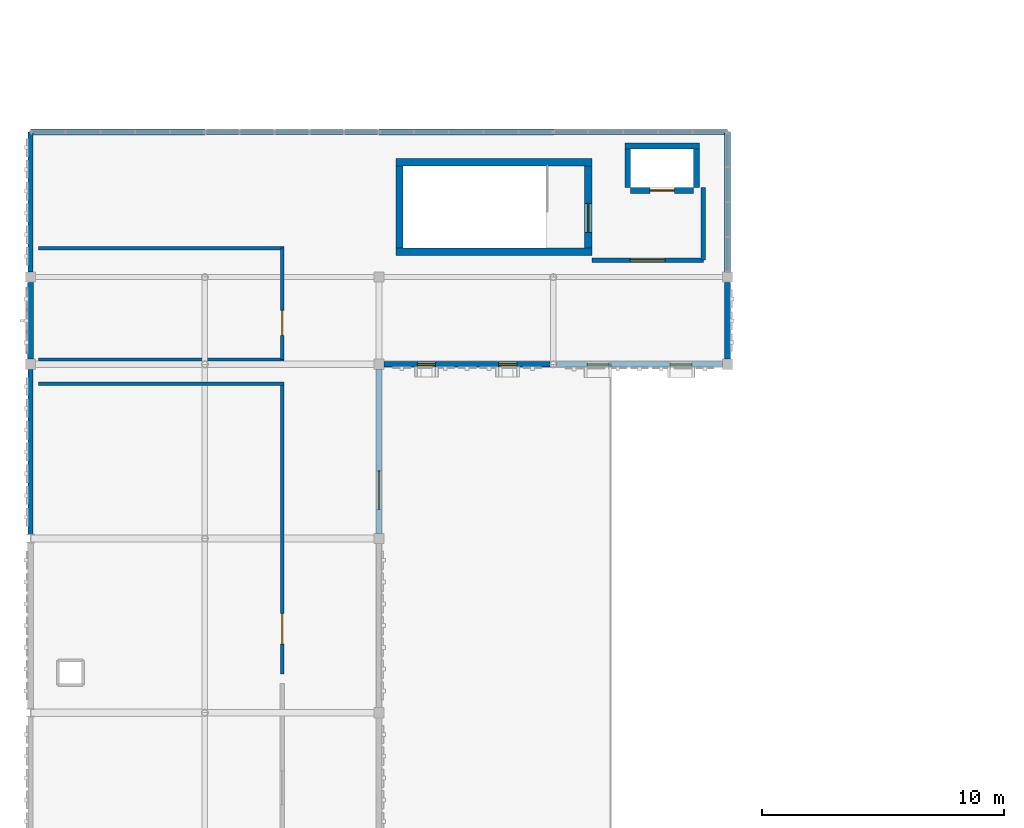
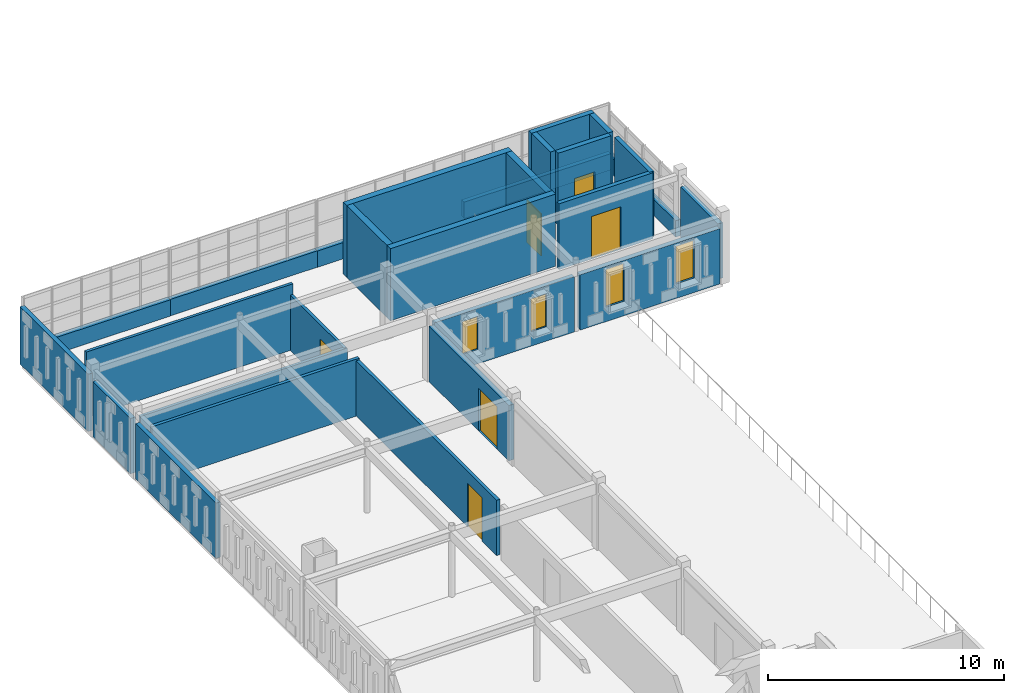
# One storey, part 27 of 46: 27 walls, 6 doors, 4 windows, 10 openings.
"""IFC4 building model written with IfcOpenShell, lengths in metres."""

from ifc_helpers import new_model, si_unit, direction, frame, frame_2d, origin, place, context, subcontext, project, spatial, rectangle, extrude, material, layer, layer_set, type_object, element, fill, save


model = new_model("IFC4")

# Units and contexts
model_context = context("Model", 3, precision=1e-05, world=origin(), true_north=direction((0.0, 1.0)))
body_context = subcontext(model_context, "Body", "Model", "MODEL_VIEW")
ifc_project = project(units=[si_unit("LENGTHUNIT", "METRE"), si_unit("AREAUNIT", "SQUARE_METRE"), si_unit("VOLUMEUNIT", "CUBIC_METRE"), si_unit("PLANEANGLEUNIT", "RADIAN"), si_unit("MASSUNIT", "GRAM", prefix="KILO")], contexts=[model_context])

# Site, building, storey
site_placement = place(None, origin())
site = spatial("IfcSite", under=ifc_project, at=site_placement, CompositionType="ELEMENT")
building_placement = place(site_placement, origin())
building = spatial("IfcBuilding", under=site, at=building_placement, Name="Nzembalo Square Collegiate School", CompositionType="ELEMENT")
storey_placement = place(building_placement, frame((0.0, 0.0, 17.340087890625)))
storey = spatial("IfcBuildingStorey", under=building, at=storey_placement, Name="L04", CompositionType="ELEMENT", Elevation=17.340087890625)

# Walls
ifc_material_1 = material(Name="Concrete C40/50", Category="concrete")
ifc_layer_1 = layer(ifc_material_1, 0.300048828125, Name="Concrete C40/50")
ifc_layer_set_1 = layer_set([ifc_layer_1], Name="Concrete C40/50")
wall_type_1 = type_object("IfcWallType", Name="SW02", PredefinedType="SHEAR", material=ifc_layer_set_1)
wall_1_placement = place(storey_placement, frame((23.64990234375, 84.0, 0.0), z_axis=(0.0, 0.0, 1.0), x_axis=(0.0, 1.0, 0.0)))
element("IfcWall", 1, at=wall_1_placement, inside=storey, type_object=wall_type_1, Name="Core C2 stair shear wall W L04", PredefinedType="SHEAR", context=body_context, shape_type="SweptSolid", body=[
    extrude(rectangle(XDim=3.39990234375, YDim=0.300048828125, at=frame_2d((1.699951171875, 0.0))), origin(), (0.0, 0.0, 1.0), 3.739990234375),
])
for number, where, z_axis, x_axis, name in (
    (2, (23.5, 83.85009765625, 0.0), (0.0, 0.0, 1.0), (1.0, 0.0, 0.0), "Core C2 stair shear wall S L04"),
    (3, (23.5, 87.550048828125, 0.0), (0.0, 0.0, 1.0), (1.0, 0.0, 0.0), "Core C2 stair shear wall N L04"),
):
    element("IfcWall", number, at=place(storey_placement, frame(where, z_axis=z_axis, x_axis=x_axis)), inside=storey, type_object=wall_type_1, Name=name, PredefinedType="SHEAR", context=body_context, shape_type="SweptSolid", body=[
        extrude(rectangle(XDim=8.10009765625, YDim=0.300048828125, at=frame_2d((4.050048828125, 0.0))), origin(), (0.0, 0.0, 1.0), 3.739990234375),
    ])

# Wall, opening, door
wall_2_placement = place(storey_placement, frame((31.449951171875, 84.0, 0.0), z_axis=(0.0, 0.0, 1.0), x_axis=(0.0, 1.0, 0.0)))
wall_2 = element("IfcWall", 4, at=wall_2_placement, inside=storey, type_object=wall_type_1, Name="Core C2 stair shear wall E L04", PredefinedType="SHEAR", context=body_context, shape_type="SweptSolid", body=[
    extrude(rectangle(XDim=3.39990234375, YDim=0.300048828125, at=frame_2d((1.699951171875, 0.0))), origin(), (0.0, 0.0, 1.0), 3.739990234375),
])
opening_1_placement = place(wall_2_placement, frame((0.64990234375, 0.0, 0.0)))
opening_1 = element("IfcOpeningElement", 5, at=opening_1_placement, cuts=wall_2, Name="Opening FD-021", PredefinedType="OPENING", context=body_context, shape_type="SweptSolid", body=[
    extrude(rectangle(XDim=1.199951171875, YDim=2.199951171875, at=frame_2d((0.60009765625, 1.10009765625))), frame((0.0, 0.16015625, 0.0), z_axis=(0.0, -1.0, 0.0), x_axis=(1.0, 0.0, 0.0)), (0.0, 0.0, 1.0), 0.320068359375),
])
ifc_material_2 = material(Name="Fire-rated steel acoustic door", Category="steel")
door_type_1 = type_object("IfcDoorType", Name="FD01", OperationType="NOTDEFINED", PredefinedType="DOOR", material=ifc_material_2)
door_1_placement = place(opening_1_placement, origin())
door_1 = element("IfcDoor", 6, at=door_1_placement, inside=storey, type_object=door_type_1, Name="Stair fire door FD-021", OperationType="SINGLE_SWING_LEFT", OverallHeight=2.199951171875, OverallWidth=1.199951171875, PredefinedType="DOOR", context=body_context, shape_type="SweptSolid", body=[
    extrude(rectangle(XDim=1.199951171875, YDim=2.199951171875, at=frame_2d((0.60009765625, 1.10009765625))), frame((0.0, 0.02490234375, 0.0), z_axis=(0.0, -1.0, 0.0), x_axis=(1.0, 0.0, 0.0)), (0.0, 0.0, 1.0), 0.050048828125),
])
fill(opening_1, door_1)

# Walls
ifc_material_3 = material(Name="Concrete C35/45", Category="concrete")
ifc_layer_2 = layer(ifc_material_3, 0.239990234375, Name="Concrete C35/45")
ifc_layer_set_2 = layer_set([ifc_layer_2], Name="Concrete C35/45")
wall_type_2 = type_object("IfcWallType", Name="SW06", PredefinedType="SHEAR", material=ifc_layer_set_2)
for number, where, z_axis, x_axis, name in (
    (7, (33.080078125, 86.5, 0.0), (0.0, 0.0, 1.0), (0.0, 1.0, 0.0), "Lift LF2 shaft wall W L04"),
    (8, (35.919921875, 86.5, 0.0), (0.0, 0.0, 1.0), (0.0, 1.0, 0.0), "Lift LF2 shaft wall E L04"),
):
    element("IfcWall", number, at=place(storey_placement, frame(where, z_axis=z_axis, x_axis=x_axis)), inside=storey, type_object=wall_type_2, Name=name, PredefinedType="SHEAR", context=body_context, shape_type="SweptSolid", body=[
        extrude(rectangle(XDim=1.60009765625, YDim=0.239990234375, at=frame_2d((0.800048828125, 0.0))), origin(), (0.0, 0.0, 1.0), 3.739990234375),
    ])
wall_3_placement = place(storey_placement, frame((32.9599609375, 88.219970703125, 0.0), z_axis=(0.0, 0.0, 1.0), x_axis=(1.0, 0.0, 0.0)))
element("IfcWall", 9, at=wall_3_placement, inside=storey, type_object=wall_type_2, Name="Lift LF2 shaft wall N L04", PredefinedType="SHEAR", context=body_context, shape_type="SweptSolid", body=[
    extrude(rectangle(XDim=3.080078125, YDim=0.239990234375, at=frame_2d((1.5400390625, 0.0))), origin(), (0.0, 0.0, 1.0), 3.739990234375),
])

# Wall, opening, door
wall_4_placement = place(storey_placement, frame((33.199951171875, 86.3798828125, 0.0), z_axis=(0.0, 0.0, 1.0), x_axis=(1.0, 0.0, 0.0)))
wall_4 = element("IfcWall", 10, at=wall_4_placement, inside=storey, type_object=wall_type_2, Name="Lift LF2 landing front wall L04", PredefinedType="SHEAR", context=body_context, shape_type="SweptSolid", body=[
    extrude(rectangle(XDim=2.60009765625, YDim=0.239990234375, at=frame_2d((1.300048828125, 0.0))), origin(), (0.0, 0.0, 1.0), 3.739990234375),
])
opening_2_placement = place(wall_4_placement, frame((0.800048828125, 0.0, 0.0)))
opening_2 = element("IfcOpeningElement", 11, at=opening_2_placement, cuts=wall_4, Name="Opening LD-LF2-L04", PredefinedType="OPENING", context=body_context, shape_type="SweptSolid", body=[
    extrude(rectangle(XDim=1.0, YDim=2.14990234375, at=frame_2d((0.5, 1.074951171875))), frame((0.0, 0.1298828125, 0.0), z_axis=(0.0, -1.0, 0.0), x_axis=(1.0, 0.0, 0.0)), (0.0, 0.0, 1.0), 0.260009765625),
])
ifc_material_4 = material(Name="Stainless-steel sliding landing door", Category="steel")
door_type_2 = type_object("IfcDoorType", Name="LD02", OperationType="DOUBLE_DOOR_SLIDING", PredefinedType="DOOR", material=ifc_material_4)
door_2_placement = place(opening_2_placement, origin())
door_2 = element("IfcDoor", 12, at=door_2_placement, inside=storey, type_object=door_type_2, Name="Sliding lift landing door LD-LF2-L04", OperationType="DOUBLE_DOOR_SLIDING", OverallHeight=2.14990234375, OverallWidth=1.0, PredefinedType="DOOR", context=body_context, shape_type="SweptSolid", body=[
    extrude(rectangle(XDim=1.0, YDim=2.14990234375, at=frame_2d((0.5, 1.074951171875))), frame((0.0, 0.02490234375, 0.0), z_axis=(0.0, -1.0, 0.0), x_axis=(1.0, 0.0, 0.0)), (0.0, 0.0, 1.0), 0.050048828125),
])
fill(opening_2, door_2)

# Walls
ifc_material_5 = material(Name="CLT CL24", Category="wood")
ifc_layer_3 = layer(ifc_material_5, 0.2451171875, Name="CLT CL24")
ifc_layer_set_3 = layer_set([ifc_layer_3], Name="CLT CL24")
wall_type_3 = type_object("IfcWallType", Name="W07", PredefinedType="SOLIDWALL", material=ifc_layer_set_3)
wall_5_placement = place(storey_placement, frame((8.39990234375, 79.412109375, 0.0), z_axis=(0.0, 0.0, 1.0), x_axis=(0.0, 1.0, 0.0)))
element("IfcWall", 13, at=wall_5_placement, inside=storey, type_object=wall_type_3, Name="Exterior wall W07 L04", PredefinedType="SOLIDWALL", context=body_context, shape_type="SweptSolid", body=[
    extrude(rectangle(XDim=3.17578125, YDim=0.2451171875, at=frame_2d((1.587890625, 0.0))), origin(), (0.0, 0.0, 1.0), 2.868896484375),
])
wall_6_placement = place(storey_placement, frame((8.39990234375, 88.800048828125, 0.0), z_axis=(0.0, 0.0, 1.0), x_axis=(1.0, 0.0, 0.0)))
element("IfcWall", 14, at=wall_6_placement, inside=storey, type_object=wall_type_3, Name="Spandrel wall W07 L04", PredefinedType="SOLIDWALL", context=body_context, shape_type="SweptSolid", body=[
    extrude(rectangle(XDim=7.2001953125, YDim=0.2451171875, at=frame_2d((3.60009765625, 0.0))), origin(), (0.0, 0.0, 1.0), 0.849853515625),
])
wall_7_placement = place(storey_placement, frame((22.800048828125, 88.800048828125, 0.0), z_axis=(0.0, 0.0, 1.0), x_axis=(1.0, 0.0, 0.0)))
element("IfcWall", 15, at=wall_7_placement, inside=storey, type_object=wall_type_3, Name="Spandrel wall W07 L04", PredefinedType="SOLIDWALL", context=body_context, shape_type="SweptSolid", body=[
    extrude(rectangle(XDim=7.199951171875, YDim=0.2451171875, at=frame_2d((3.60009765625, 0.0))), origin(), (0.0, 0.0, 1.0), 0.849853515625),
])
wall_8_placement = place(storey_placement, frame((37.199951171875, 79.412109375, 0.0), z_axis=(0.0, 0.0, 1.0), x_axis=(0.0, 1.0, 0.0)))
element("IfcWall", 16, at=wall_8_placement, inside=storey, type_object=wall_type_3, Name="Exterior wall W07 L04", PredefinedType="SOLIDWALL", context=body_context, shape_type="SweptSolid", body=[
    extrude(rectangle(XDim=3.17578125, YDim=0.2451171875, at=frame_2d((1.587890625, 0.0))), origin(), (0.0, 0.0, 1.0), 2.868896484375),
])
wall_9_placement = place(storey_placement, frame((37.199951171875, 83.011962890625, 0.0), z_axis=(0.0, 0.0, 1.0), x_axis=(0.0, 1.0, 0.0)))
element("IfcWall", 17, at=wall_9_placement, inside=storey, type_object=wall_type_3, Name="Spandrel wall W07 L04", PredefinedType="SOLIDWALL", context=body_context, shape_type="SweptSolid", body=[
    extrude(rectangle(XDim=5.7880859375, YDim=0.2451171875, at=frame_2d((2.89404296875, 0.0))), origin(), (0.0, 0.0, 1.0), 0.849853515625),
])

# Wall, openings, windows
wall_10_placement = place(storey_placement, frame((30.138427734375, 79.199951171875, 0.0), z_axis=(0.0, 0.0, 1.0), x_axis=(1.0, 0.0, 0.0)))
wall_10 = element("IfcWall", 18, at=wall_10_placement, inside=storey, type_object=wall_type_3, Name="Exterior wall W07 L04", PredefinedType="SOLIDWALL", context=body_context, shape_type="SweptSolid", body=[
    extrude(rectangle(XDim=6.849609375, YDim=0.2451171875, at=frame_2d((3.4248046875, 0.0))), origin(), (0.0, 0.0, 1.0), 2.868896484375),
])
opening_3_placement = place(wall_10_placement, frame((1.25732421875, 0.0, 0.75)))
opening_3 = element("IfcOpeningElement", 19, at=opening_3_placement, cuts=wall_10, Name="Opening WN-L04-1043", PredefinedType="OPENING", context=body_context, shape_type="SweptSolid", body=[
    extrude(rectangle(XDim=0.89990234375, YDim=1.949951171875, at=frame_2d((0.449951171875, 0.97509765625))), frame((0.0, 0.132568359375, 0.0), z_axis=(0.0, -1.0, 0.0), x_axis=(1.0, 0.0, 0.0)), (0.0, 0.0, 1.0), 0.26513671875),
])
opening_4_placement = place(wall_10_placement, frame((4.692138671875, 0.0, 0.75)))
opening_4 = element("IfcOpeningElement", 20, at=opening_4_placement, cuts=wall_10, Name="Opening WN-L04-1044", PredefinedType="OPENING", context=body_context, shape_type="SweptSolid", body=[
    extrude(rectangle(XDim=0.89990234375, YDim=1.949951171875, at=frame_2d((0.449951171875, 0.97509765625))), frame((0.0, 0.132568359375, 0.0), z_axis=(0.0, -1.0, 0.0), x_axis=(1.0, 0.0, 0.0)), (0.0, 0.0, 1.0), 0.26513671875),
])
ifc_material_6 = material(Name="Powder-coated aluminium and low-E double glazing", Category="aluminium")
window_type_1 = type_object("IfcWindowType", Name="WN08", PartitioningType="SINGLE_PANEL", PredefinedType="WINDOW", material=ifc_material_6)
window_1_placement = place(opening_3_placement, origin())
window_1 = element("IfcWindow", 21, at=window_1_placement, inside=storey, type_object=window_type_1, Name="Lancet window WN-L04-1043", OverallHeight=1.949951171875, OverallWidth=0.89990234375, PartitioningType="SINGLE_PANEL", PredefinedType="WINDOW", context=body_context, shape_type="SweptSolid", body=[
    extrude(rectangle(XDim=0.89990234375, YDim=1.949951171875, at=frame_2d((0.449951171875, 0.97509765625))), frame((0.0, 0.030029296875, 0.0), z_axis=(0.0, -1.0, 0.0), x_axis=(1.0, 0.0, 0.0)), (0.0, 0.0, 1.0), 0.06005859375),
])
fill(opening_3, window_1)
window_2_placement = place(opening_4_placement, origin())
window_2 = element("IfcWindow", 22, at=window_2_placement, inside=storey, type_object=window_type_1, Name="Lancet window WN-L04-1044", OverallHeight=1.949951171875, OverallWidth=0.89990234375, PartitioningType="SINGLE_PANEL", PredefinedType="WINDOW", context=body_context, shape_type="SweptSolid", body=[
    extrude(rectangle(XDim=0.89990234375, YDim=1.949951171875, at=frame_2d((0.449951171875, 0.97509765625))), frame((0.0, 0.030029296875, 0.0), z_axis=(0.0, -1.0, 0.0), x_axis=(1.0, 0.0, 0.0)), (0.0, 0.0, 1.0), 0.06005859375),
])
fill(opening_4, window_2)

# Wall, opening, door
wall_11_placement = place(storey_placement, frame((22.800048828125, 72.2119140625, 0.0), z_axis=(0.0, 0.0, 1.0), x_axis=(0.0, 1.0, 0.0)))
wall_11 = element("IfcWall", 23, at=wall_11_placement, inside=storey, type_object=wall_type_3, Name="Exterior wall W07 L04", PredefinedType="SOLIDWALL", context=body_context, shape_type="SweptSolid", body=[
    extrude(rectangle(XDim=6.776123046875, YDim=0.2451171875, at=frame_2d((3.38818359375, 0.0))), origin(), (0.0, 0.0, 1.0), 2.868896484375),
])
opening_5_placement = place(wall_11_placement, frame((0.988037109375, 0.0, 0.0)))
opening_5 = element("IfcOpeningElement", 24, at=opening_5_placement, cuts=wall_11, Name="Opening TD-402", PredefinedType="OPENING", context=body_context, shape_type="SweptSolid", body=[
    extrude(rectangle(XDim=1.60009765625, YDim=2.199951171875, at=frame_2d((0.800048828125, 1.10009765625))), frame((0.0, 0.132568359375, 0.0), z_axis=(0.0, -1.0, 0.0), x_axis=(1.0, 0.0, 0.0)), (0.0, 0.0, 1.0), 0.26513671875),
])
ifc_material_7 = material(Name="Powder-coated steel and safety glass", Category="steel")
door_type_3 = type_object("IfcDoorType", Name="TD01", OperationType="DOUBLE_DOOR_SINGLE_SWING", PredefinedType="DOOR", material=ifc_material_7)
door_3_placement = place(opening_5_placement, frame((1.60009765625, 0.0, 0.0), z_axis=(0.0, 0.0, 1.0), x_axis=(-1.0, 0.0, 0.0)))
door_3 = element("IfcDoor", 25, at=door_3_placement, inside=storey, type_object=door_type_3, Name="Exterior door TD-402", OperationType="DOUBLE_DOOR_SINGLE_SWING", OverallHeight=2.199951171875, OverallWidth=1.60009765625, PredefinedType="DOOR", context=body_context, shape_type="SweptSolid", body=[
    extrude(rectangle(XDim=1.60009765625, YDim=2.199951171875, at=frame_2d((0.800048828125, 1.10009765625))), frame((0.0, 0.02490234375, 0.0), z_axis=(0.0, -1.0, 0.0), x_axis=(1.0, 0.0, 0.0)), (0.0, 0.0, 1.0), 0.050048828125),
])
fill(opening_5, door_3)

# Walls
ifc_material_8 = material(Name="CLT CL24", Category="wood")
ifc_layer_4 = layer(ifc_material_8, 0.215087890625, Name="CLT CL24")
ifc_layer_set_4 = layer_set([ifc_layer_4], Name="CLT CL24")
wall_type_4 = type_object("IfcWallType", Name="W08", PredefinedType="SOLIDWALL", material=ifc_layer_set_4)
wall_12_placement = place(storey_placement, frame((8.39990234375, 72.172119140625, 0.0), z_axis=(0.0, 0.0, 1.0), x_axis=(0.0, 1.0, 0.0)))
element("IfcWall", 26, at=wall_12_placement, inside=storey, type_object=wall_type_4, Name="Exterior wall W08 L04", PredefinedType="SOLIDWALL", context=body_context, shape_type="SweptSolid", body=[
    extrude(rectangle(XDim=6.81591796875, YDim=0.215087890625, at=frame_2d((3.407958984375, 0.0))), origin(), (0.0, 0.0, 1.0), 2.868896484375),
])
wall_13_placement = place(storey_placement, frame((8.39990234375, 83.011962890625, 0.0), z_axis=(0.0, 0.0, 1.0), x_axis=(0.0, 1.0, 0.0)))
element("IfcWall", 27, at=wall_13_placement, inside=storey, type_object=wall_type_4, Name="Exterior wall W08 L04", PredefinedType="SOLIDWALL", context=body_context, shape_type="SweptSolid", body=[
    extrude(rectangle(XDim=5.7880859375, YDim=0.215087890625, at=frame_2d((2.89404296875, 0.0))), origin(), (0.0, 0.0, 1.0), 2.97900390625),
])
for number, where, z_axis, x_axis, name in (
    (28, (15.60009765625, 88.800048828125, 0.0), (0.0, 0.0, 1.0), (1.0, 0.0, 0.0), "Spandrel wall W08 L04"),
    (29, (30.0, 88.800048828125, 0.0), (0.0, 0.0, 1.0), (1.0, 0.0, 0.0), "Spandrel wall W08 L04"),
):
    element("IfcWall", number, at=place(storey_placement, frame(where, z_axis=z_axis, x_axis=x_axis)), inside=storey, type_object=wall_type_4, Name=name, PredefinedType="SOLIDWALL", context=body_context, shape_type="SweptSolid", body=[
        extrude(rectangle(XDim=7.199951171875, YDim=0.215087890625, at=frame_2d((3.60009765625, 0.0))), origin(), (0.0, 0.0, 1.0), 0.849853515625),
    ])

# Wall, openings, windows
wall_14_placement = place(storey_placement, frame((23.011962890625, 79.199951171875, 0.0), z_axis=(0.0, 0.0, 1.0), x_axis=(1.0, 0.0, 0.0)))
wall_14 = element("IfcWall", 30, at=wall_14_placement, inside=storey, type_object=wall_type_4, Name="Exterior wall W08 L04", PredefinedType="SOLIDWALL", context=body_context, shape_type="SweptSolid", body=[
    extrude(rectangle(XDim=6.849609375, YDim=0.215087890625, at=frame_2d((3.4248046875, 0.0))), origin(), (0.0, 0.0, 1.0), 2.868896484375),
])
opening_6_placement = place(wall_14_placement, frame((1.369873046875, 0.0, 0.75)))
opening_6 = element("IfcOpeningElement", 31, at=opening_6_placement, cuts=wall_14, Name="Opening WN-L04-1039", PredefinedType="OPENING", context=body_context, shape_type="SweptSolid", body=[
    extrude(rectangle(XDim=0.75, YDim=1.699951171875, at=frame_2d((0.375, 0.85009765625))), frame((0.0, 0.11767578125, 0.0), z_axis=(0.0, -1.0, 0.0), x_axis=(1.0, 0.0, 0.0)), (0.0, 0.0, 1.0), 0.235107421875),
])
opening_7_placement = place(wall_14_placement, frame((4.7294921875, 0.0, 0.75)))
opening_7 = element("IfcOpeningElement", 32, at=opening_7_placement, cuts=wall_14, Name="Opening WN-L04-1040", PredefinedType="OPENING", context=body_context, shape_type="SweptSolid", body=[
    extrude(rectangle(XDim=0.75, YDim=1.699951171875, at=frame_2d((0.375, 0.85009765625))), frame((0.0, 0.11767578125, 0.0), z_axis=(0.0, -1.0, 0.0), x_axis=(1.0, 0.0, 0.0)), (0.0, 0.0, 1.0), 0.235107421875),
])
ifc_material_9 = material(Name="Powder-coated aluminium and low-E double glazing", Category="aluminium")
window_type_2 = type_object("IfcWindowType", Name="WN04", PartitioningType="SINGLE_PANEL", PredefinedType="WINDOW", material=ifc_material_9)
window_3_placement = place(opening_6_placement, origin())
window_3 = element("IfcWindow", 33, at=window_3_placement, inside=storey, type_object=window_type_2, Name="Lancet window WN-L04-1039", OverallHeight=1.699951171875, OverallWidth=0.75, PartitioningType="SINGLE_PANEL", PredefinedType="WINDOW", context=body_context, shape_type="SweptSolid", body=[
    extrude(rectangle(XDim=0.75, YDim=1.699951171875, at=frame_2d((0.375, 0.85009765625))), frame((0.0, 0.030029296875, 0.0), z_axis=(0.0, -1.0, 0.0), x_axis=(1.0, 0.0, 0.0)), (0.0, 0.0, 1.0), 0.06005859375),
])
fill(opening_6, window_3)
window_4_placement = place(opening_7_placement, origin())
window_4 = element("IfcWindow", 34, at=window_4_placement, inside=storey, type_object=window_type_2, Name="Lancet window WN-L04-1040", OverallHeight=1.699951171875, OverallWidth=0.75, PartitioningType="SINGLE_PANEL", PredefinedType="WINDOW", context=body_context, shape_type="SweptSolid", body=[
    extrude(rectangle(XDim=0.75, YDim=1.699951171875, at=frame_2d((0.375, 0.85009765625))), frame((0.0, 0.030029296875, 0.0), z_axis=(0.0, -1.0, 0.0), x_axis=(1.0, 0.0, 0.0)), (0.0, 0.0, 1.0), 0.06005859375),
])
fill(opening_7, window_4)

# Wall
ifc_material_10 = material(Name="Concrete blockwork C25/30", Category="masonry")
ifc_layer_5 = layer(ifc_material_10, 0.199951171875, Name="Concrete blockwork C25/30")
ifc_layer_set_5 = layer_set([ifc_layer_5], Name="Concrete blockwork C25/30")
wall_type_5 = type_object("IfcWallType", Name="W11", PredefinedType="PARTITIONING", material=ifc_layer_set_5)
wall_15_placement = place(storey_placement, frame((36.199951171875, 83.5, 0.0), z_axis=(0.0, 0.0, 1.0), x_axis=(0.0, 1.0, 0.0)))
element("IfcWall", 35, at=wall_15_placement, inside=storey, type_object=wall_type_5, Name="Core C2 EI 60 lobby wall E L04", PredefinedType="PARTITIONING", context=body_context, shape_type="SweptSolid", body=[
    extrude(rectangle(XDim=3.0, YDim=0.199951171875, at=frame_2d((1.5, 0.0))), origin(), (0.0, 0.0, 1.0), 3.413818359375),
])

# Wall, opening, door
wall_16_placement = place(storey_placement, frame((31.60009765625, 83.5, 0.0), z_axis=(0.0, 0.0, 1.0), x_axis=(1.0, 0.0, 0.0)))
wall_16 = element("IfcWall", 36, at=wall_16_placement, inside=storey, type_object=wall_type_5, Name="Core C2 EI 60 lobby wall S L04", PredefinedType="PARTITIONING", context=body_context, shape_type="SweptSolid", body=[
    extrude(rectangle(XDim=4.599853515625, YDim=0.199951171875, at=frame_2d((2.2998046875, 0.0))), origin(), (0.0, 0.0, 1.0), 3.413818359375),
])
opening_8_placement = place(wall_16_placement, frame((1.574951171875, 0.0, 0.0)))
opening_8 = element("IfcOpeningElement", 37, at=opening_8_placement, cuts=wall_16, Name="Opening FD-022", PredefinedType="OPENING", context=body_context, shape_type="SweptSolid", body=[
    extrude(rectangle(XDim=1.449951171875, YDim=2.199951171875, at=frame_2d((0.72509765625, 1.10009765625))), frame((0.0, 0.10986328125, 0.0), z_axis=(0.0, -1.0, 0.0), x_axis=(1.0, 0.0, 0.0)), (0.0, 0.0, 1.0), 0.219970703125),
])
ifc_material_11 = material(Name="Fire-rated double lobby door")
door_type_4 = type_object("IfcDoorType", Name="FD02", OperationType="DOUBLE_DOOR_SINGLE_SWING", PredefinedType="DOOR", material=ifc_material_11)
door_4_placement = place(opening_8_placement, frame((1.449951171875, 0.0, 0.0), z_axis=(0.0, 0.0, 1.0), x_axis=(-1.0, 0.0, 0.0)))
door_4 = element("IfcDoor", 38, at=door_4_placement, inside=storey, type_object=door_type_4, Name="Protected lobby fire door FD-022", OperationType="DOUBLE_DOOR_SINGLE_SWING", OverallHeight=2.199951171875, OverallWidth=1.449951171875, PredefinedType="DOOR", context=body_context, shape_type="SweptSolid", body=[
    extrude(rectangle(XDim=1.449951171875, YDim=2.199951171875, at=frame_2d((0.72509765625, 1.10009765625))), frame((0.0, 0.02490234375, 0.0), z_axis=(0.0, -1.0, 0.0), x_axis=(1.0, 0.0, 0.0)), (0.0, 0.0, 1.0), 0.050048828125),
])
fill(opening_8, door_4)

# Wall
ifc_material_12 = material(Name="Acoustic double-board stud")
ifc_layer_6 = layer(ifc_material_12, 0.155029296875, Name="Acoustic double-board stud")
ifc_layer_set_6 = layer_set([ifc_layer_6], Name="Acoustic double-board stud")
wall_type_6 = type_object("IfcWallType", Name="W16", PredefinedType="PARTITIONING", material=ifc_layer_set_6)
wall_17_placement = place(storey_placement, frame((8.722412109375, 78.39990234375, 0.0), z_axis=(0.0, 0.0, 1.0), x_axis=(1.0, 0.0, 0.0)))
element("IfcWall", 39, at=wall_17_placement, inside=storey, type_object=wall_type_6, Name="Interior partition W16 L04-018-N", PredefinedType="PARTITIONING", context=body_context, shape_type="SweptSolid", body=[
    extrude(rectangle(XDim=10.155029296875, YDim=0.155029296875, at=frame_2d((5.07763671875, 0.0))), origin(), (0.0, 0.0, 1.0), 2.948974609375),
])

# Wall, opening, door
wall_18_placement = place(storey_placement, frame((18.800048828125, 66.39990234375, 0.0), z_axis=(0.0, 0.0, 1.0), x_axis=(0.0, 1.0, 0.0)))
wall_18 = element("IfcWall", 40, at=wall_18_placement, inside=storey, type_object=wall_type_6, Name="Interior partition W16 L04-018-E", PredefinedType="PARTITIONING", context=body_context, shape_type="SweptSolid", body=[
    extrude(rectangle(XDim=12.0, YDim=0.155029296875, at=frame_2d((6.0, 0.0))), origin(), (0.0, 0.0, 1.0), 2.868896484375),
])
opening_9_placement = place(wall_18_placement, frame((1.23388671875, 0.0, 0.0)))
opening_9 = element("IfcOpeningElement", 41, at=opening_9_placement, cuts=wall_18, Name="Opening D-L04-095", PredefinedType="OPENING", context=body_context, shape_type="SweptSolid", body=[
    extrude(rectangle(XDim=1.260009765625, YDim=2.260009765625, at=frame_2d((0.6298828125, 1.1298828125))), frame((0.0, 0.08740234375, 0.0), z_axis=(0.0, -1.0, 0.0), x_axis=(1.0, 0.0, 0.0)), (0.0, 0.0, 1.0), 0.175048828125),
])
ifc_material_13 = material(Name="High-STC acoustic music door")
door_type_5 = type_object("IfcDoorType", Name="D20", OperationType="NOTDEFINED", PredefinedType="DOOR", material=ifc_material_13)
door_5_placement = place(opening_9_placement, origin())
door_5 = element("IfcDoor", 42, at=door_5_placement, inside=storey, type_object=door_type_5, Name="Interior door D-L04-095 (Ensemble Music and Practice Studio)", OperationType="SINGLE_SWING_RIGHT", OverallHeight=2.260009765625, OverallWidth=1.260009765625, PredefinedType="DOOR", context=body_context, shape_type="SweptSolid", body=[
    extrude(rectangle(XDim=1.260009765625, YDim=2.260009765625, at=frame_2d((0.6298828125, 1.1298828125))), frame((0.0, 0.02490234375, 0.0), z_axis=(0.0, -1.0, 0.0), x_axis=(1.0, 0.0, 0.0)), (0.0, 0.0, 1.0), 0.050048828125),
])
fill(opening_9, door_5)

# Walls
ifc_material_14 = material(Name="Cement-board wet-room partition")
ifc_layer_7 = layer(ifc_material_14, 0.135009765625, Name="Cement-board wet-room partition")
ifc_layer_set_7 = layer_set([ifc_layer_7], Name="Cement-board wet-room partition")
wall_type_7 = type_object("IfcWallType", Name="W19", PredefinedType="PARTITIONING", material=ifc_layer_set_7)
wall_19_placement = place(storey_placement, frame((8.732421875, 79.39990234375, 0.0), z_axis=(0.0, 0.0, 1.0), x_axis=(1.0, 0.0, 0.0)))
element("IfcWall", 43, at=wall_19_placement, inside=storey, type_object=wall_type_7, Name="Interior partition W19 L04-019-S", PredefinedType="PARTITIONING", context=body_context, shape_type="SweptSolid", body=[
    extrude(rectangle(XDim=10.135009765625, YDim=0.135009765625, at=frame_2d((5.0673828125, 0.0))), origin(), (0.0, 0.0, 1.0), 2.868896484375),
])
wall_20_placement = place(storey_placement, frame((8.732421875, 84.0, 0.0), z_axis=(0.0, 0.0, 1.0), x_axis=(1.0, 0.0, 0.0)))
element("IfcWall", 44, at=wall_20_placement, inside=storey, type_object=wall_type_7, Name="Interior partition W19 L04-019-N", PredefinedType="PARTITIONING", context=body_context, shape_type="SweptSolid", body=[
    extrude(rectangle(XDim=10.135009765625, YDim=0.135009765625, at=frame_2d((5.0673828125, 0.0))), origin(), (0.0, 0.0, 1.0), 3.413818359375),
])

# Wall, opening, door
wall_21_placement = place(storey_placement, frame((18.800048828125, 79.39990234375, 0.0), z_axis=(0.0, 0.0, 1.0), x_axis=(0.0, 1.0, 0.0)))
wall_21 = element("IfcWall", 45, at=wall_21_placement, inside=storey, type_object=wall_type_7, Name="Interior partition W19 L04-019-E", PredefinedType="PARTITIONING", context=body_context, shape_type="SweptSolid", body=[
    extrude(rectangle(XDim=4.60009765625, YDim=0.135009765625, at=frame_2d((2.300048828125, 0.0))), origin(), (0.0, 0.0, 1.0), 2.868896484375),
])
opening_10_placement = place(wall_21_placement, frame((0.989990234375, 0.0, 0.0)))
opening_10 = element("IfcOpeningElement", 46, at=opening_10_placement, cuts=wall_21, Name="Opening D-L04-096", PredefinedType="OPENING", context=body_context, shape_type="SweptSolid", body=[
    extrude(rectangle(XDim=1.0400390625, YDim=2.1201171875, at=frame_2d((0.52001953125, 1.06005859375))), frame((0.0, 0.07763671875, 0.0), z_axis=(0.0, -1.0, 0.0), x_axis=(1.0, 0.0, 0.0)), (0.0, 0.0, 1.0), 0.155029296875),
])
ifc_material_15 = material(Name="Accessible outward-swing WC door")
door_type_6 = type_object("IfcDoorType", Name="D09", OperationType="NOTDEFINED", PredefinedType="DOOR", material=ifc_material_15)
door_6_placement = place(opening_10_placement, origin())
door_6 = element("IfcDoor", 47, at=door_6_placement, inside=storey, type_object=door_type_6, Name="Interior door D-L04-096 (West L04 Boys', Girls' and Accessible WCs)", OperationType="SINGLE_SWING_LEFT", OverallHeight=2.1201171875, OverallWidth=1.0400390625, PredefinedType="DOOR", context=body_context, shape_type="SweptSolid", body=[
    extrude(rectangle(XDim=1.0400390625, YDim=2.1201171875, at=frame_2d((0.52001953125, 1.06005859375))), frame((0.0, 0.02490234375, 0.0), z_axis=(0.0, -1.0, 0.0), x_axis=(1.0, 0.0, 0.0)), (0.0, 0.0, 1.0), 0.050048828125),
])
fill(opening_10, door_6)

save(model, "model.ifc")
